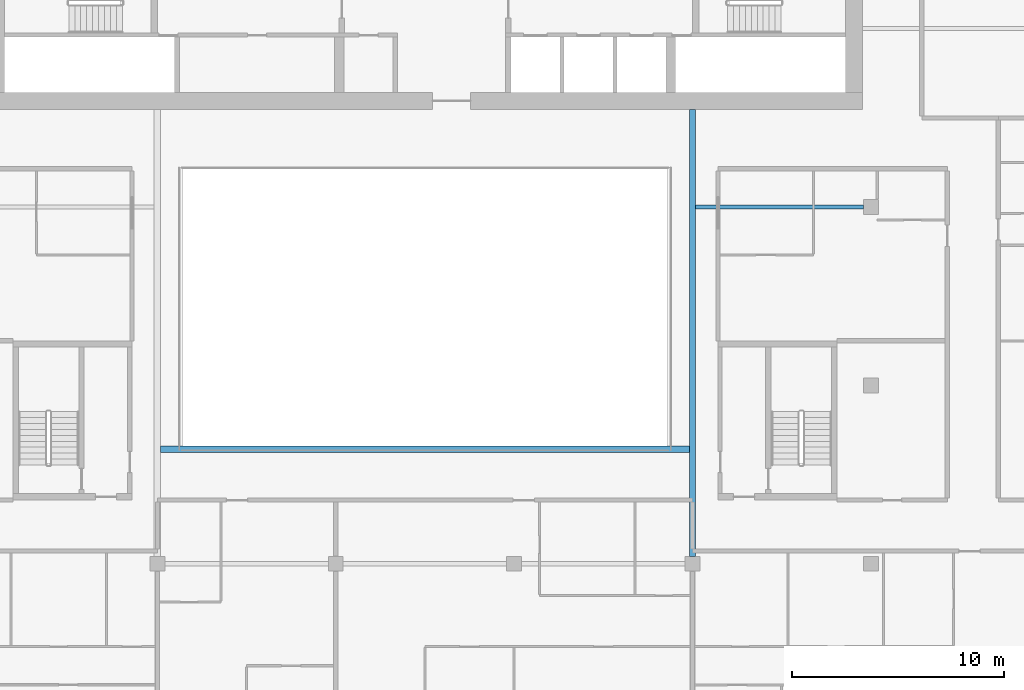
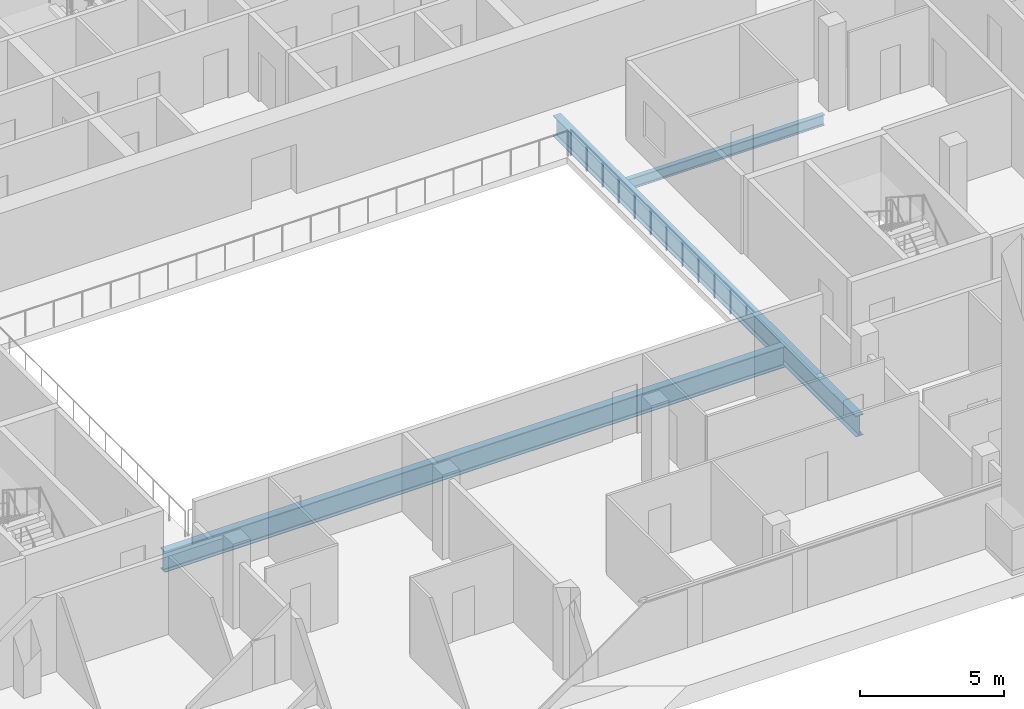
# One storey, part 7 of 31: 3 beams.
"""IFC4 building model written with IfcOpenShell, lengths in metres."""

import ifcopenshell
import ifcopenshell.guid

model = None  # the IFC model being written
_history = None  # IfcOwnerHistory: only IFC2X3 demands one
_inside = {}  # id of a spatial element -> (the spatial element, [elements in it])
_under = {}  # id of a project, library or spatial element -> (it, [spatial elements below it])
_declared = {}  # id of a project -> (the project, [libraries it declares])
_typed = {}  # id of a type object -> (the type object, [elements of that type])
_made_of = {}  # id of a material, layer set ... -> (it, [elements and type objects made of it])


def new_model(schema):
    """Start an empty IFC model of exactly this schema.

    Asked for "IFC4X3", IfcOpenShell would pick the latest addendum, in which some entities
    have other attributes; the version numbers below select the first issue.
    IFC2X3 requires an IfcOwnerHistory on every rooted entity: one is made here for all.
    """
    global model, _history
    if schema == "IFC4X3":
        model = ifcopenshell.file(schema_version=(4, 3, 0, 0))
    else:
        model = ifcopenshell.file(schema=schema)
    _inside.clear()
    _under.clear()
    _declared.clear()
    _typed.clear()
    _made_of.clear()
    _history = None
    if model.schema == "IFC2X3":
        org = make("IfcOrganization", Name="unknown")
        user = make(
            "IfcPersonAndOrganization",
            ThePerson=make("IfcPerson", FamilyName="unknown"),
            TheOrganization=org,
        )
        app = make(
            "IfcApplication",
            ApplicationDeveloper=org,
            Version="unknown",
            ApplicationFullName="unknown",
            ApplicationIdentifier="unknown",
        )
        _history = make(
            "IfcOwnerHistory",
            OwningUser=user,
            OwningApplication=app,
            ChangeAction="ADDED",
            CreationDate=0,
        )
    return model


def make(cls, **values):
    """One entity of the class cls with the attributes given. An attribute that is None is left unset."""
    return model.create_entity(
        cls, **{name: value for name, value in values.items() if value is not None}
    )


def rooted(cls, **values):
    """An entity with a GlobalId (a new one), such as an element, a storey or a relation."""
    return make(cls, GlobalId=ifcopenshell.guid.new(), OwnerHistory=_history, **values)


def si_unit(unit_type, name, prefix=None):
    """IfcSIUnit, for example si_unit("LENGTHUNIT", "METRE", prefix="MILLI")."""
    return make("IfcSIUnit", UnitType=unit_type, Prefix=prefix, Name=name)


def assignment(units):
    """IfcUnitAssignment: the units of a project."""
    return None if units is None else make("IfcUnitAssignment", Units=units)


def point(xyz):
    """IfcCartesianPoint."""
    return None if xyz is None else make("IfcCartesianPoint", Coordinates=xyz)


def direction(xyz):
    """IfcDirection."""
    return None if xyz is None else make("IfcDirection", DirectionRatios=xyz)


def frame(location, z_axis=None, x_axis=None):
    """IfcAxis2Placement3D, a coordinate frame: its origin and axes. An axis left out is left unset."""
    return make(
        "IfcAxis2Placement3D",
        Location=point(location),
        Axis=direction(z_axis),
        RefDirection=direction(x_axis),
    )


def frame_2d(location, x_axis=None):
    """IfcAxis2Placement2D, a coordinate frame in the plane: its origin and x axis."""
    return make(
        "IfcAxis2Placement2D", Location=point(location), RefDirection=direction(x_axis)
    )


def origin():
    """The frame at (0, 0, 0) with its axes left unset."""
    return frame((0.0, 0.0, 0.0))


def origin_2d():
    """The frame at (0, 0) in the plane with its x axis left unset."""
    return frame_2d((0.0, 0.0))


def place(relative_to, where):
    """IfcLocalPlacement: puts the frame where relative to a parent placement (None: the world)."""
    return make(
        "IfcLocalPlacement", PlacementRelTo=relative_to, RelativePlacement=where
    )


def context(
    kind, dimensions, precision=None, world=None, true_north=None, identifier=None
):
    """IfcGeometricRepresentationContext, for example the 3D "Model" context."""
    return make(
        "IfcGeometricRepresentationContext",
        ContextIdentifier=identifier,
        ContextType=kind,
        CoordinateSpaceDimension=dimensions,
        Precision=precision,
        WorldCoordinateSystem=world,
        TrueNorth=true_north,
    )


def subcontext(parent, identifier, kind, view, scale=None):
    """IfcGeometricRepresentationSubContext, for example "Body" below "Model"."""
    return make(
        "IfcGeometricRepresentationSubContext",
        ContextIdentifier=identifier,
        ContextType=kind,
        ParentContext=parent,
        TargetScale=scale,
        TargetView=view,
    )


def project(units=None, contexts=None):
    """IfcProject with its units and contexts."""
    return rooted(
        "IfcProject",
        Name="project",
        RepresentationContexts=contexts,
        UnitsInContext=assignment(units),
    )


def spatial(cls, under=None, at=None, **own):
    """A site, building, storey or space (cls), placed at a placement, below another one or the project."""
    s = rooted(cls, ObjectPlacement=at, **own)
    if under is not None:
        _under.setdefault(under.id(), (under, []))[1].append(s)
    return s


def profile(cls, at=None, kind="AREA", **sizes):
    """A parametric profile (cls). Its sizes go by their IFC names, for example OverallWidth=200.0."""
    return make(cls, ProfileType=kind, Position=at, **sizes)


def i_section(**sizes):
    """IfcIShapeProfileDef."""
    return profile("IfcIShapeProfileDef", **sizes)


def extrude(swept, where, along, depth):
    """IfcExtrudedAreaSolid: the profile swept, set in the frame where, extruded along a direction by depth."""
    return make(
        "IfcExtrudedAreaSolid",
        SweptArea=swept,
        Position=where,
        ExtrudedDirection=direction(along),
        Depth=depth,
    )


def shape(context_of_items, identifier, shape_type, items):
    """IfcShapeRepresentation: the items that make up one representation, for example the "Body"."""
    return make(
        "IfcShapeRepresentation",
        ContextOfItems=context_of_items,
        RepresentationIdentifier=identifier,
        RepresentationType=shape_type,
        Items=items,
    )


def material(Name=None, Category=None):
    """IfcMaterial."""
    return make("IfcMaterial", Name=Name, Category=Category)


def material_profile(
    of_material, cross_section, Name=None, Category=None, Priority=None
):
    """IfcMaterialProfile: a cross section and its material."""
    return make(
        "IfcMaterialProfile",
        Name=Name,
        Material=of_material,
        Profile=cross_section,
        Priority=Priority,
        Category=Category,
    )


def profile_set(profiles, Name=None, composite=None):
    """IfcMaterialProfileSet."""
    return make(
        "IfcMaterialProfileSet",
        Name=Name,
        MaterialProfiles=profiles,
        CompositeProfile=composite,
    )


def made_of(thing, what):
    """Note that an element or type object is made of a material, layer set ...; save() writes the relation."""
    if what is not None:
        _made_of.setdefault(what.id(), (what, []))[1].append(thing)
    return thing


def type_object(cls, material=None, **own):
    """A type object (cls), such as IfcWallType, which elements share."""
    return made_of(rooted(cls, **own), material)


def element(
    cls,
    number,
    at=None,
    inside=None,
    cuts=None,
    type_object=None,
    material=None,
    context=None,
    identifier="Body",
    shape_type=None,
    held_by="IfcProductDefinitionShape",
    body=None,
    shapes=None,
    **own,
):
    """One element of the class cls, such as IfcWall. Its Tag is "e" and its number.

    at: its placement. inside: the storey or other place that contains it. cuts: it is an
    opening in that element (IfcRelVoidsElement). A single representation is given by context,
    identifier, shape_type and body (its items); several are given by shapes. held_by: the class
    of the entity that holds the representations. save() writes the other relations.
    """
    e = rooted(cls, Tag="e%d" % number, ObjectPlacement=at, **own)
    if body is not None:
        shapes = [shape(context, identifier, shape_type, body)]
    if shapes is not None:
        e.Representation = make(held_by, Representations=shapes)
    if inside is not None:
        _inside.setdefault(inside.id(), (inside, []))[1].append(e)
    if cuts is not None:
        rooted(
            "IfcRelVoidsElement", RelatingBuildingElement=cuts, RelatedOpeningElement=e
        )
    if type_object is not None:
        _typed.setdefault(type_object.id(), (type_object, []))[1].append(e)
    return made_of(e, material)


def aggregate(whole, parts):
    """IfcRelAggregates: a whole, such as a stair, and the parts it consists of."""
    return rooted("IfcRelAggregates", RelatingObject=whole, RelatedObjects=parts)


def save(model, path):
    """Write the relations noted so far, then the file.

    IfcRelAggregates (storeys below a building ...), IfcRelContainedInSpatialStructure (elements
    in a storey), IfcRelDefinesByType, IfcRelAssociatesMaterial and IfcRelDeclares: one each for
    every whole, place, type object, material and project.
    """
    for whole, parts in _under.values():
        aggregate(whole, parts)
    for where, things in _inside.values():
        rooted(
            "IfcRelContainedInSpatialStructure",
            RelatedElements=things,
            RelatingStructure=where,
        )
    for kind, things in _typed.values():
        rooted("IfcRelDefinesByType", RelatedObjects=things, RelatingType=kind)
    for what, things in _made_of.values():
        rooted("IfcRelAssociatesMaterial", RelatedObjects=things, RelatingMaterial=what)
    for by, libraries in _declared.values():
        rooted("IfcRelDeclares", RelatingContext=by, RelatedDefinitions=libraries)
    model.write(path)


model = new_model("IFC4")

# Units and contexts
model_context = context("Model", 3, precision=1e-05, world=origin(), true_north=direction((0.0, 1.0)))
body_context = subcontext(model_context, "Body", "Model", "MODEL_VIEW")
ifc_project = project(units=[si_unit("LENGTHUNIT", "METRE"), si_unit("AREAUNIT", "SQUARE_METRE"), si_unit("VOLUMEUNIT", "CUBIC_METRE"), si_unit("PLANEANGLEUNIT", "RADIAN"), si_unit("MASSUNIT", "GRAM", prefix="KILO")], contexts=[model_context])

# Site, building, storey
site_placement = place(None, origin())
site = spatial("IfcSite", under=ifc_project, at=site_placement, CompositionType="ELEMENT")
building_placement = place(site_placement, origin())
building = spatial("IfcBuilding", under=site, at=building_placement, Name="Saffron Gate Tower", CompositionType="ELEMENT")
storey_placement = place(building_placement, frame((0.0, 0.0, 147.449951171875)))
storey = spatial("IfcBuildingStorey", under=building, at=storey_placement, Name="L35", CompositionType="ELEMENT", Elevation=147.449951171875)

# Beams
ifc_material = material(Name="Structural steel S355", Category="steel")
ifc_material_profile_1 = material_profile(ifc_material, i_section(OverallWidth=0.300048828125, OverallDepth=0.889892578125, WebThickness=0.01611328125, FlangeThickness=0.030029296875, FilletRadius=0.030029296875, at=origin_2d()))
ifc_profile_set_1 = profile_set([ifc_material_profile_1], Name="Structural steel S355")
beam_type_1 = type_object("IfcBeamType", Name="B19 HEA 900", PredefinedType="BEAM", material=ifc_profile_set_1)
beam_1_placement = place(storey_placement, frame((100.199951171875, 40.550048828125, -0.724853515625), z_axis=(0.0, 1.0, 0.0), x_axis=(-1.0, 0.0, 0.0)))
element("IfcBeam", 1, at=beam_1_placement, inside=storey, type_object=beam_type_1, Name="B19 ATRIUM GIRDER", PredefinedType="BEAM", context=body_context, shape_type="SweptSolid", body=[
    extrude(i_section(OverallWidth=0.300048828125, OverallDepth=0.889892578125, WebThickness=0.01611328125, FlangeThickness=0.030029296875, FilletRadius=0.030029296875, at=origin_2d()), origin(), (0.0, 0.0, 1.0), 21.050048828125),
])
beam_2_placement = place(storey_placement, frame((75.14990234375, 45.60009765625, -0.724853515625), z_axis=(1.0, 0.0, 0.0), x_axis=(0.0, 1.0, 0.0)))
element("IfcBeam", 2, at=beam_2_placement, inside=storey, type_object=beam_type_1, Name="B19 ATRIUM GIRDER", PredefinedType="BEAM", context=body_context, shape_type="SweptSolid", body=[
    extrude(i_section(OverallWidth=0.300048828125, OverallDepth=0.889892578125, WebThickness=0.01611328125, FlangeThickness=0.030029296875, FilletRadius=0.030029296875, at=origin_2d()), origin(), (0.0, 0.0, 1.0), 24.900146484375),
])
ifc_material_profile_2 = material_profile(ifc_material, i_section(OverallWidth=0.18994140625, OverallDepth=0.449951171875, WebThickness=0.009521484375, FlangeThickness=0.0146484375, FilletRadius=0.02099609375, at=origin_2d()))
ifc_profile_set_2 = profile_set([ifc_material_profile_2], Name="Structural steel S355")
beam_type_2 = type_object("IfcBeamType", Name="B6 IPE 450", PredefinedType="BEAM", material=ifc_profile_set_2)
beam_3_placement = place(storey_placement, frame((108.25, 57.0, -0.5048828125), z_axis=(-1.0, 0.0, 0.0), x_axis=(0.0, -1.0, 0.0)))
element("IfcBeam", 3, at=beam_3_placement, inside=storey, type_object=beam_type_2, Name="B6 CORE TIE BEAM", PredefinedType="BEAM", context=body_context, shape_type="SweptSolid", body=[
    extrude(i_section(OverallWidth=0.18994140625, OverallDepth=0.449951171875, WebThickness=0.009521484375, FlangeThickness=0.0146484375, FilletRadius=0.02099609375, at=origin_2d()), origin(), (0.0, 0.0, 1.0), 7.89990234375),
])

save(model, "model.ifc")
